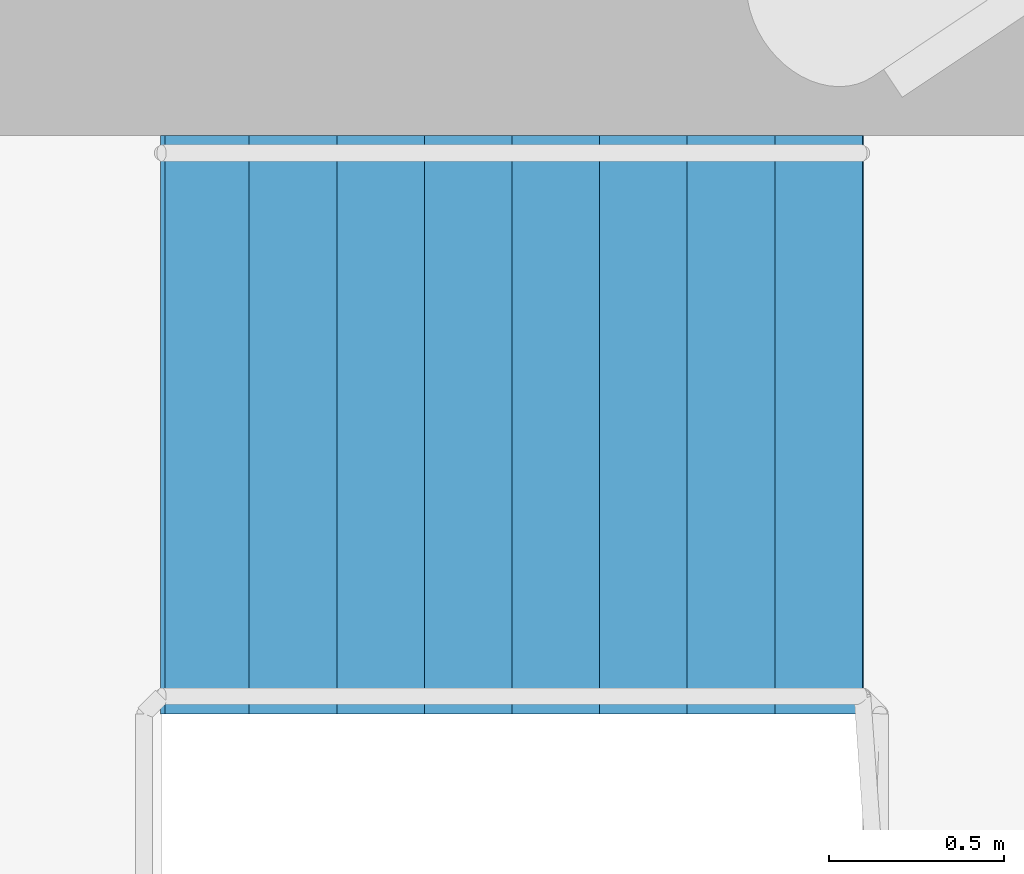
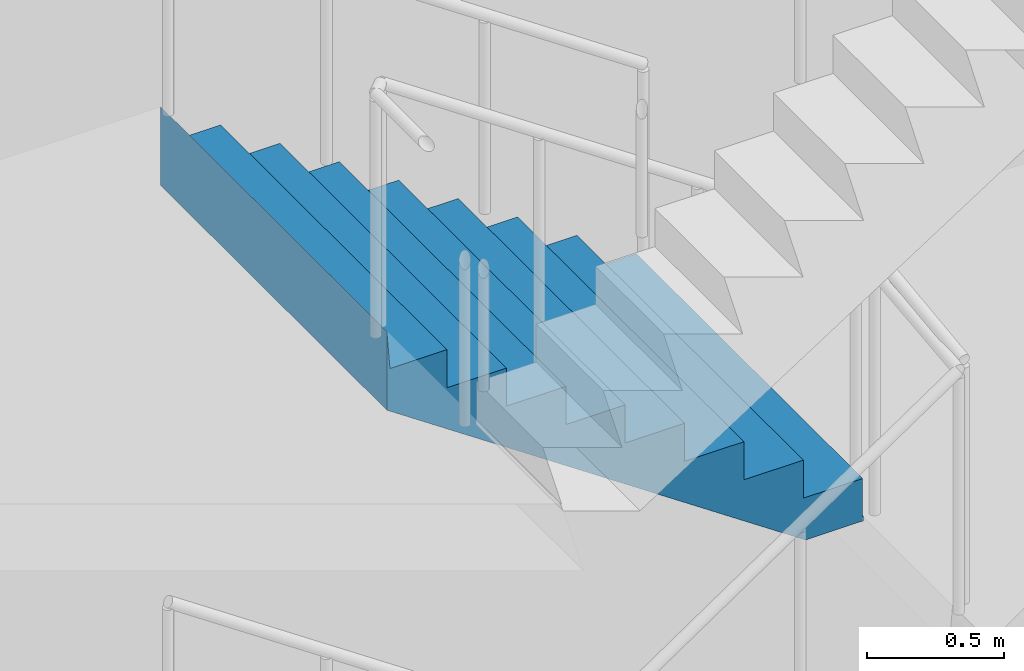
# One storey, part 19 of 25: 1 stair flight, 1 element without a shape of its own.
"""IFC4 building model written with IfcOpenShell, lengths in metres."""

from ifc_helpers import new_model, si_unit, direction, frame, origin, place, context, subcontext, project, spatial, triangles, material, type_object, element, aggregate, save


model = new_model("IFC4")

# Units and contexts
model_context = context("Model", 3, precision=1e-05, world=origin(), true_north=direction((0.0, 1.0)))
body_context = subcontext(model_context, "Body", "Model", "MODEL_VIEW")
ifc_project = project(units=[si_unit("LENGTHUNIT", "METRE"), si_unit("AREAUNIT", "SQUARE_METRE"), si_unit("VOLUMEUNIT", "CUBIC_METRE"), si_unit("PLANEANGLEUNIT", "RADIAN"), si_unit("MASSUNIT", "GRAM", prefix="KILO")], contexts=[model_context])

# Site, building, storey
site_placement = place(None, origin())
site = spatial("IfcSite", under=ifc_project, at=site_placement, CompositionType="ELEMENT")
building_placement = place(site_placement, origin())
building = spatial("IfcBuilding", under=site, at=building_placement, Name="Maasbend Ring Residences", CompositionType="ELEMENT")
storey_placement = place(building_placement, frame((0.0, 0.0, 139.10009765625)))
storey = spatial("IfcBuildingStorey", under=building, at=storey_placement, Name="L40", CompositionType="ELEMENT", Elevation=139.10009765625)

# Stair, stair flight
ifc_material_1 = material(Name="Concrete C40/50", Category="concrete")
stair_type = type_object("IfcStairType", Name="CORE STAIR 36 RISERS", PredefinedType="HALF_TURN_STAIR", material=ifc_material_1)
stair_placement = place(storey_placement, origin())
stair = element("IfcStair", 1, at=stair_placement, inside=storey, type_object=stair_type, Name="L40 Exit stair ST-E1", PredefinedType="HALF_TURN_STAIR")
ifc_material_2 = material(Name="Concrete C40/50", Category="concrete")
stair_flight_type = type_object("IfcStairFlightType", Name="CORE STAIR FLIGHT 1650", PredefinedType="STRAIGHT", material=ifc_material_2)
stair_flight_placement = place(storey_placement, frame((13.550048828125, 7.77490234375, 3.0498046875), z_axis=(0.0, 0.0, 1.0), x_axis=(-1.0, 0.0, 0.0)))
stair_flight = element("IfcStairFlight", 2, at=stair_flight_placement, type_object=stair_flight_type, Name="ST-E1 flight 3", NumberOfRisers=9, NumberOfTreads=8, PredefinedType="STRAIGHT", RiserHeight=0.169444444, TreadLength=0.25, context=body_context, shape_type="Tessellation", body=[
    triangles([(0.24072265625, 0.824951171875, -0.02001953125), (2.0029296875, 0.824951171875, 1.174560546875), (2.0029296875, 0.824951171875, 1.52490234375), (1.989990234375, 0.824951171875, 1.35546875), (1.75, 0.824951171875, 1.35546875), (1.75, 0.824951171875, 1.18603515625), (1.5, 0.824951171875, 1.18603515625), (1.5, 0.824951171875, 1.0166015625), (1.25, 0.824951171875, 1.0166015625), (1.25, 0.824951171875, 0.84716796875), (1.0, 0.824951171875, 0.84716796875), (1.0, 0.824951171875, 0.677734375), (0.75, 0.824951171875, 0.677734375), (0.75, 0.824951171875, 0.50830078125), (0.5, 0.824951171875, 0.50830078125), (0.5, 0.824951171875, 0.3388671875), (0.25, 0.824951171875, 0.3388671875), (0.25, 0.824951171875, 0.16943359375), (0.0, 0.824951171875, 0.16943359375), (0.0, 0.824951171875, 0.0), (-0.0029296875, 0.824951171875, 0.0), (-0.0029296875, 0.824951171875, -0.02001953125), (0.24072265625, 0.27490234375, -0.02001953125), (2.0029296875, 0.27490234375, 1.174560546875), (2.0029296875, 0.27490234375, 1.52490234375), (1.989990234375, 0.27490234375, 1.35546875), (1.75, 0.27490234375, 1.35546875), (1.75, 0.27490234375, 1.18603515625), (1.5, 0.27490234375, 1.18603515625), (1.5, 0.27490234375, 1.0166015625), (1.25, 0.27490234375, 1.0166015625), (1.25, 0.27490234375, 0.84716796875), (1.0, 0.27490234375, 0.84716796875), (1.0, 0.27490234375, 0.677734375), (0.75, 0.27490234375, 0.677734375), (0.75, 0.27490234375, 0.50830078125), (0.5, 0.27490234375, 0.50830078125), (0.5, 0.27490234375, 0.3388671875), (0.25, 0.27490234375, 0.3388671875), (0.25, 0.27490234375, 0.16943359375), (0.0, 0.27490234375, 0.16943359375), (0.0, 0.27490234375, 0.0), (-0.0029296875, 0.27490234375, 0.0), (-0.0029296875, 0.27490234375, -0.02001953125), (0.24072265625, -0.27490234375, -0.02001953125), (2.0029296875, -0.27490234375, 1.174560546875), (2.0029296875, -0.27490234375, 1.52490234375), (1.989990234375, -0.27490234375, 1.35546875), (1.75, -0.27490234375, 1.35546875), (1.75, -0.27490234375, 1.18603515625), (1.5, -0.27490234375, 1.18603515625), (1.5, -0.27490234375, 1.0166015625), (1.25, -0.27490234375, 1.0166015625), (1.25, -0.27490234375, 0.84716796875), (1.0, -0.27490234375, 0.84716796875), (1.0, -0.27490234375, 0.677734375), (0.75, -0.27490234375, 0.677734375), (0.75, -0.27490234375, 0.50830078125), (0.5, -0.27490234375, 0.50830078125), (0.5, -0.27490234375, 0.3388671875), (0.25, -0.27490234375, 0.3388671875), (0.25, -0.27490234375, 0.16943359375), (0.0, -0.27490234375, 0.16943359375), (0.0, -0.27490234375, 0.0), (-0.0029296875, -0.27490234375, 0.0), (-0.0029296875, -0.27490234375, -0.02001953125), (0.24072265625, -0.824951171875, -0.02001953125), (2.0029296875, -0.824951171875, 1.174560546875), (2.0029296875, -0.824951171875, 1.52490234375), (1.989990234375, -0.824951171875, 1.35546875), (1.75, -0.824951171875, 1.35546875), (1.75, -0.824951171875, 1.18603515625), (1.5, -0.824951171875, 1.18603515625), (1.5, -0.824951171875, 1.0166015625), (1.25, -0.824951171875, 1.0166015625), (1.25, -0.824951171875, 0.84716796875), (1.0, -0.824951171875, 0.84716796875), (1.0, -0.824951171875, 0.677734375), (0.75, -0.824951171875, 0.677734375), (0.75, -0.824951171875, 0.50830078125), (0.5, -0.824951171875, 0.50830078125), (0.5, -0.824951171875, 0.3388671875), (0.25, -0.824951171875, 0.3388671875), (0.25, -0.824951171875, 0.16943359375), (0.0, -0.824951171875, 0.16943359375), (0.0, -0.824951171875, 0.0), (-0.0029296875, -0.824951171875, 0.0), (-0.0029296875, -0.824951171875, -0.02001953125)], [[1, 2, 24], [1, 24, 23], [23, 24, 46], [23, 46, 45], [45, 46, 68], [45, 68, 67], [2, 3, 25], [2, 25, 24], [24, 25, 47], [24, 47, 46], [46, 47, 69], [46, 69, 68], [3, 4, 26], [3, 26, 25], [25, 26, 48], [25, 48, 47], [47, 48, 70], [47, 70, 69], [4, 5, 27], [4, 27, 26], [26, 27, 49], [26, 49, 48], [48, 49, 71], [48, 71, 70], [5, 6, 28], [5, 28, 27], [27, 28, 50], [27, 50, 49], [49, 50, 72], [49, 72, 71], [6, 7, 29], [6, 29, 28], [28, 29, 51], [28, 51, 50], [50, 51, 73], [50, 73, 72], [7, 8, 30], [7, 30, 29], [29, 30, 52], [29, 52, 51], [51, 52, 74], [51, 74, 73], [8, 9, 31], [8, 31, 30], [30, 31, 53], [30, 53, 52], [52, 53, 75], [52, 75, 74], [9, 10, 32], [9, 32, 31], [31, 32, 54], [31, 54, 53], [53, 54, 76], [53, 76, 75], [10, 11, 33], [10, 33, 32], [32, 33, 55], [32, 55, 54], [54, 55, 77], [54, 77, 76], [11, 12, 34], [11, 34, 33], [33, 34, 56], [33, 56, 55], [55, 56, 78], [55, 78, 77], [12, 13, 35], [12, 35, 34], [34, 35, 57], [34, 57, 56], [56, 57, 79], [56, 79, 78], [13, 14, 36], [13, 36, 35], [35, 36, 58], [35, 58, 57], [57, 58, 80], [57, 80, 79], [14, 15, 37], [14, 37, 36], [36, 37, 59], [36, 59, 58], [58, 59, 81], [58, 81, 80], [15, 16, 38], [15, 38, 37], [37, 38, 60], [37, 60, 59], [59, 60, 82], [59, 82, 81], [16, 17, 39], [16, 39, 38], [38, 39, 61], [38, 61, 60], [60, 61, 83], [60, 83, 82], [17, 18, 40], [17, 40, 39], [39, 40, 62], [39, 62, 61], [61, 62, 84], [61, 84, 83], [18, 19, 41], [18, 41, 40], [40, 41, 63], [40, 63, 62], [62, 63, 85], [62, 85, 84], [19, 20, 42], [19, 42, 41], [41, 42, 64], [41, 64, 63], [63, 64, 86], [63, 86, 85], [20, 21, 43], [20, 43, 42], [42, 43, 65], [42, 65, 64], [64, 65, 87], [64, 87, 86], [21, 22, 44], [21, 44, 43], [43, 44, 66], [43, 66, 65], [65, 66, 88], [65, 88, 87], [22, 1, 23], [22, 23, 44], [44, 23, 45], [44, 45, 66], [66, 45, 67], [66, 67, 88], [22, 2, 1], [2, 4, 3], [2, 5, 4], [2, 6, 5], [22, 6, 2], [6, 8, 7], [22, 8, 6], [8, 10, 9], [22, 10, 8], [10, 12, 11], [22, 12, 10], [12, 14, 13], [22, 14, 12], [14, 16, 15], [22, 16, 14], [16, 18, 17], [22, 18, 16], [18, 20, 19], [22, 20, 18], [20, 22, 21], [88, 67, 68], [68, 69, 70], [68, 70, 71], [68, 71, 72], [88, 68, 72], [72, 73, 74], [88, 72, 74], [74, 75, 76], [88, 74, 76], [76, 77, 78], [88, 76, 78], [78, 79, 80], [88, 78, 80], [80, 81, 82], [88, 80, 82], [82, 83, 84], [88, 82, 84], [84, 85, 86], [88, 84, 86], [86, 87, 88]], closed=True),
])
aggregate(stair, [stair_flight])

save(model, "model.ifc")
